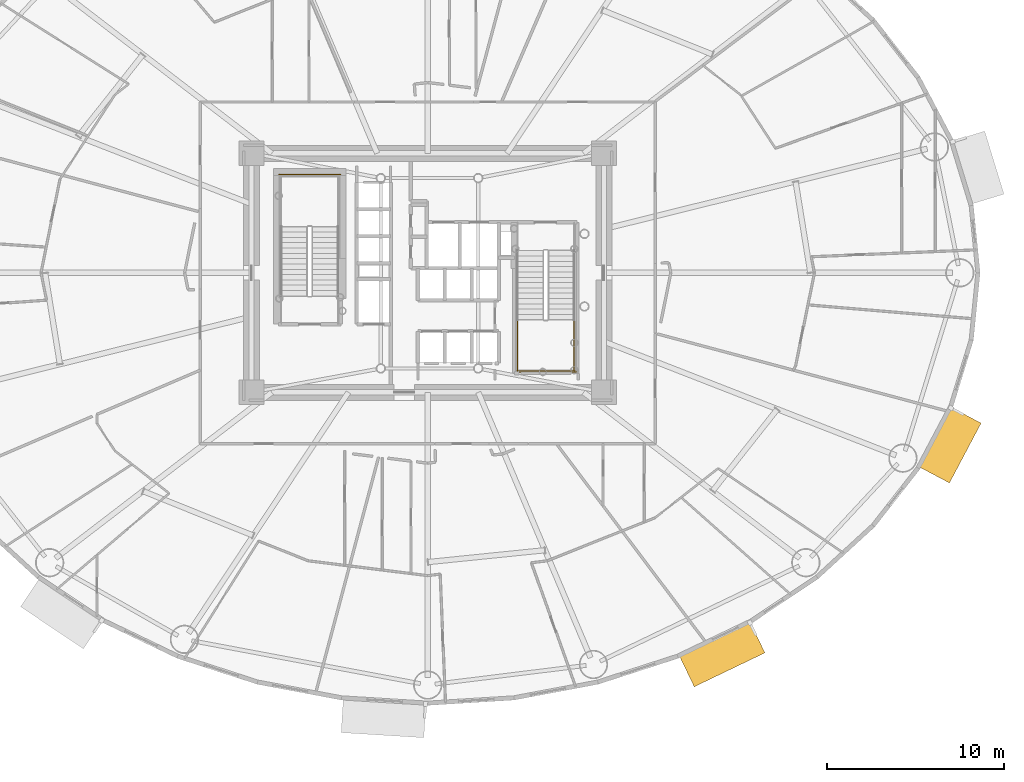
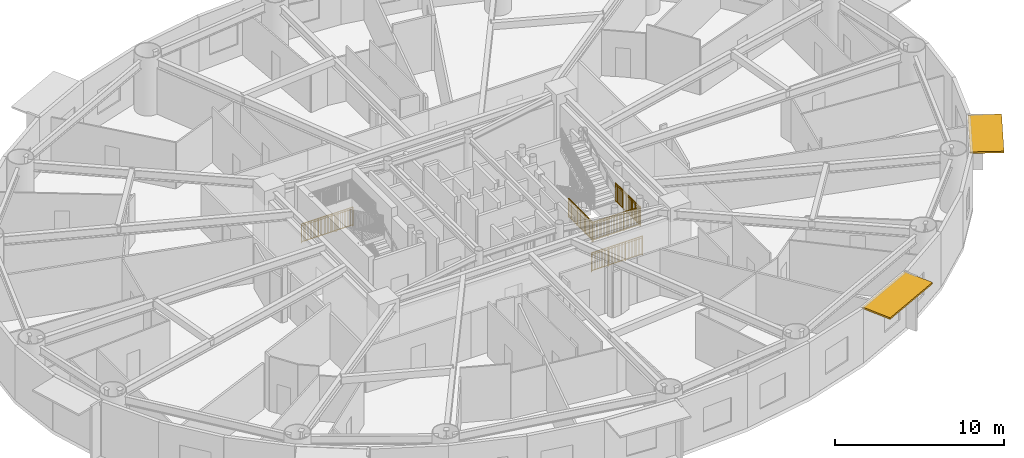
# One storey, part 21 of 24: 5 railings, 2 shading devices.
"""IFC4 building model written with IfcOpenShell, lengths in metres."""

from ifc_helpers import new_model, si_unit, direction, frame, origin, origin_2d, place, context, subcontext, project, spatial, rectangle, extrude, source, transform, mapped, material, layer, layer_set, type_object, element, save


model = new_model("IFC4")

# Units and contexts
model_context = context("Model", 3, precision=1e-05, world=origin(), true_north=direction((0.0, 1.0)))
body_context = subcontext(model_context, "Body", "Model", "MODEL_VIEW")
ifc_project = project(units=[si_unit("LENGTHUNIT", "METRE"), si_unit("AREAUNIT", "SQUARE_METRE"), si_unit("VOLUMEUNIT", "CUBIC_METRE"), si_unit("PLANEANGLEUNIT", "RADIAN"), si_unit("MASSUNIT", "GRAM", prefix="KILO")], contexts=[model_context])

# Site, building, storey
site_placement = place(None, origin())
site = spatial("IfcSite", under=ifc_project, at=site_placement, CompositionType="ELEMENT")
building_placement = place(site_placement, origin())
building = spatial("IfcBuilding", under=site, at=building_placement, Name="Linh Dai School and Residence Tower", CompositionType="ELEMENT")
storey_placement = place(building_placement, frame((0.0, 0.0, 70.199951171875)))
storey = spatial("IfcBuildingStorey", under=building, at=storey_placement, Name="L16", CompositionType="ELEMENT", Elevation=70.199951171875)

# Shading devices
ifc_material_1 = material(Name="Terracotta Ceramic Sunshade", Category="masonry")
ifc_layer = layer(ifc_material_1, 0.1201171875)
ifc_layer_set = layer_set([ifc_layer], Name="Terracotta Ceramic Sunshade")
shading_device_type = type_object("IfcShadingDeviceType", Name="SHD-TC-2000", PredefinedType="USERDEFINED", material=ifc_layer_set)
shared_shape_1 = source(origin(), body_context, "Body", "SweptSolid", [
    extrude(rectangle(XDim=4.428466796875, YDim=2.0, at=origin_2d()), origin(), (0.0, 0.0, 1.0), 0.1201171875),
])
shading_device_1_placement = place(storey_placement, frame((52.613037109375, 5.48095703125, 3.81005859375), z_axis=(0.0, 0.0, 1.0), x_axis=(-0.901584514626, -0.432603008528, 0.0)))
element("IfcShadingDevice", 1, at=shading_device_1_placement, inside=storey, type_object=shading_device_type, Name="L16 Terracotta Horizontal Sunshade Band 34", ObjectType="SUNSHADE", PredefinedType="USERDEFINED", context=body_context, shape_type="MappedRepresentation", body=[
    mapped(shared_shape_1, transform((0.0, 0.0, 0.0), x_axis=(1.0, 0.0, 0.0), y_axis=(0.0, 1.0, 0.0), z_axis=(0.0, 0.0, 1.0), scale=1.0)),
])
shared_shape_2 = source(origin(), body_context, "Body", "SweptSolid", [
    extrude(rectangle(XDim=3.824462890625, YDim=2.0, at=origin_2d()), origin(), (0.0, 0.0, 1.0), 0.1201171875),
])
shading_device_2_placement = place(storey_placement, frame((65.474609375, 17.2890625, 3.81005859375), z_axis=(0.0, 0.0, 1.0), x_axis=(-0.467611940042, -0.883933862645, 0.0)))
element("IfcShadingDevice", 2, at=shading_device_2_placement, inside=storey, type_object=shading_device_type, Name="L16 Terracotta Horizontal Sunshade Band 38", ObjectType="SUNSHADE", PredefinedType="USERDEFINED", context=body_context, shape_type="MappedRepresentation", body=[
    mapped(shared_shape_2, transform((0.0, 0.0, 0.0), x_axis=(1.0, 0.0, 0.0), y_axis=(0.0, 1.0, 0.0), z_axis=(0.0, 0.0, 1.0), scale=1.0)),
])

# Railings
ifc_material_2 = material(Name="Structural Steel S355JR", Category="steel")
railing_type = type_object("IfcRailingType", Name="RL-ST-GUARD-1400", PredefinedType="GUARDRAIL", material=ifc_material_2)
shared_shape_3 = source(origin(), body_context, "Body", "SweptSolid", [
    extrude(rectangle(XDim=0.048095703125, YDim=0.048095703125, at=origin_2d()), frame((0.0, 0.0, 1.3759765625), z_axis=(-1.0, 0.0, 0.0), x_axis=(0.0, -1.0, 0.0)), (0.0, 0.0, 1.0), 3.5),
    extrude(rectangle(XDim=0.048095703125, YDim=0.048095703125, at=origin_2d()), frame((0.0, 0.0, 0.10009765625), z_axis=(-1.0, 0.0, 0.0), x_axis=(0.0, -1.0, 0.0)), (0.0, 0.0, 1.0), 3.5),
    extrude(rectangle(XDim=0.030029296875, YDim=0.030029296875, at=origin_2d()), frame((0.0, 0.0, 1.239990234375), z_axis=(-1.0, 0.0, 0.0), x_axis=(0.0, -1.0, 0.0)), (0.0, 0.0, 1.0), 3.5),
    extrude(rectangle(XDim=0.02001953125, YDim=0.02001953125, at=origin_2d()), frame((-0.09716796875, 0.0, 0.10009765625)), (0.0, 0.0, 1.0), 1.251708984375),
    extrude(rectangle(XDim=0.02001953125, YDim=0.02001953125, at=origin_2d()), frame((-0.1943359375, 0.0, 0.10009765625)), (0.0, 0.0, 1.0), 1.251708984375),
    extrude(rectangle(XDim=0.02001953125, YDim=0.02001953125, at=origin_2d()), frame((-0.291748046875, 0.0, 0.10009765625)), (0.0, 0.0, 1.0), 1.251708984375),
    extrude(rectangle(XDim=0.02001953125, YDim=0.02001953125, at=origin_2d()), frame((-0.388916015625, 0.0, 0.10009765625)), (0.0, 0.0, 1.0), 1.251708984375),
    extrude(rectangle(XDim=0.02001953125, YDim=0.02001953125, at=origin_2d()), frame((-0.486083984375, 0.0, 0.10009765625)), (0.0, 0.0, 1.0), 1.251708984375),
    extrude(rectangle(XDim=0.02001953125, YDim=0.02001953125, at=origin_2d()), frame((-0.583251953125, 0.0, 0.10009765625)), (0.0, 0.0, 1.0), 1.251708984375),
    extrude(rectangle(XDim=0.02001953125, YDim=0.02001953125, at=origin_2d()), frame((-0.6806640625, 0.0, 0.10009765625)), (0.0, 0.0, 1.0), 1.251708984375),
    extrude(rectangle(XDim=0.02001953125, YDim=0.02001953125, at=origin_2d()), frame((-0.77783203125, 0.0, 0.10009765625)), (0.0, 0.0, 1.0), 1.251708984375),
    extrude(rectangle(XDim=0.02001953125, YDim=0.02001953125, at=origin_2d()), frame((-0.875, 0.0, 0.10009765625)), (0.0, 0.0, 1.0), 1.251708984375),
    extrude(rectangle(XDim=0.02001953125, YDim=0.02001953125, at=origin_2d()), frame((-0.97216796875, 0.0, 0.10009765625)), (0.0, 0.0, 1.0), 1.251708984375),
    extrude(rectangle(XDim=0.02001953125, YDim=0.02001953125, at=origin_2d()), frame((-1.0693359375, 0.0, 0.10009765625)), (0.0, 0.0, 1.0), 1.251708984375),
    extrude(rectangle(XDim=0.02001953125, YDim=0.02001953125, at=origin_2d()), frame((-1.263916015625, 0.0, 0.10009765625)), (0.0, 0.0, 1.0), 1.251708984375),
    extrude(rectangle(XDim=0.02001953125, YDim=0.02001953125, at=origin_2d()), frame((-1.361083984375, 0.0, 0.10009765625)), (0.0, 0.0, 1.0), 1.251708984375),
    extrude(rectangle(XDim=0.02001953125, YDim=0.02001953125, at=origin_2d()), frame((-1.458251953125, 0.0, 0.10009765625)), (0.0, 0.0, 1.0), 1.251708984375),
    extrude(rectangle(XDim=0.02001953125, YDim=0.02001953125, at=origin_2d()), frame((-1.5556640625, 0.0, 0.10009765625)), (0.0, 0.0, 1.0), 1.251708984375),
    extrude(rectangle(XDim=0.02001953125, YDim=0.02001953125, at=origin_2d()), frame((-1.65283203125, 0.0, 0.10009765625)), (0.0, 0.0, 1.0), 1.251708984375),
    extrude(rectangle(XDim=0.02001953125, YDim=0.02001953125, at=origin_2d()), frame((-1.75, 0.0, 0.10009765625)), (0.0, 0.0, 1.0), 1.251708984375),
    extrude(rectangle(XDim=0.02001953125, YDim=0.02001953125, at=origin_2d()), frame((-1.84716796875, 0.0, 0.10009765625)), (0.0, 0.0, 1.0), 1.251708984375),
    extrude(rectangle(XDim=0.02001953125, YDim=0.02001953125, at=origin_2d()), frame((-1.9443359375, 0.0, 0.10009765625)), (0.0, 0.0, 1.0), 1.251708984375),
    extrude(rectangle(XDim=0.02001953125, YDim=0.02001953125, at=origin_2d()), frame((-2.041748046875, 0.0, 0.10009765625)), (0.0, 0.0, 1.0), 1.251708984375),
    extrude(rectangle(XDim=0.02001953125, YDim=0.02001953125, at=origin_2d()), frame((-2.138916015625, 0.0, 0.10009765625)), (0.0, 0.0, 1.0), 1.251708984375),
    extrude(rectangle(XDim=0.02001953125, YDim=0.02001953125, at=origin_2d()), frame((-2.236083984375, 0.0, 0.10009765625)), (0.0, 0.0, 1.0), 1.251708984375),
    extrude(rectangle(XDim=0.02001953125, YDim=0.02001953125, at=origin_2d()), frame((-2.4306640625, 0.0, 0.10009765625)), (0.0, 0.0, 1.0), 1.251708984375),
    extrude(rectangle(XDim=0.02001953125, YDim=0.02001953125, at=origin_2d()), frame((-2.52783203125, 0.0, 0.10009765625)), (0.0, 0.0, 1.0), 1.251708984375),
    extrude(rectangle(XDim=0.02001953125, YDim=0.02001953125, at=origin_2d()), frame((-2.625, 0.0, 0.10009765625)), (0.0, 0.0, 1.0), 1.251708984375),
    extrude(rectangle(XDim=0.02001953125, YDim=0.02001953125, at=origin_2d()), frame((-2.72216796875, 0.0, 0.10009765625)), (0.0, 0.0, 1.0), 1.251708984375),
    extrude(rectangle(XDim=0.02001953125, YDim=0.02001953125, at=origin_2d()), frame((-2.8193359375, 0.0, 0.10009765625)), (0.0, 0.0, 1.0), 1.251708984375),
    extrude(rectangle(XDim=0.02001953125, YDim=0.02001953125, at=origin_2d()), frame((-2.916748046875, 0.0, 0.10009765625)), (0.0, 0.0, 1.0), 1.251708984375),
    extrude(rectangle(XDim=0.02001953125, YDim=0.02001953125, at=origin_2d()), frame((-3.013916015625, 0.0, 0.10009765625)), (0.0, 0.0, 1.0), 1.251708984375),
    extrude(rectangle(XDim=0.02001953125, YDim=0.02001953125, at=origin_2d()), frame((-3.111083984375, 0.0, 0.10009765625)), (0.0, 0.0, 1.0), 1.251708984375),
    extrude(rectangle(XDim=0.02001953125, YDim=0.02001953125, at=origin_2d()), frame((-3.208251953125, 0.0, 0.10009765625)), (0.0, 0.0, 1.0), 1.251708984375),
    extrude(rectangle(XDim=0.02001953125, YDim=0.02001953125, at=origin_2d()), frame((-3.3056640625, 0.0, 0.10009765625)), (0.0, 0.0, 1.0), 1.251708984375),
    extrude(rectangle(XDim=0.02001953125, YDim=0.02001953125, at=origin_2d()), frame((-3.40283203125, 0.0, 0.10009765625)), (0.0, 0.0, 1.0), 1.251708984375),
    extrude(rectangle(XDim=0.0419921875, YDim=0.0419921875, at=origin_2d()), origin(), (0.0, 0.0, 1.0), 1.3759765625),
    extrude(rectangle(XDim=0.0419921875, YDim=0.0419921875, at=origin_2d()), frame((-1.166748046875, 0.0, 0.0)), (0.0, 0.0, 1.0), 1.3759765625),
    extrude(rectangle(XDim=0.0419921875, YDim=0.0419921875, at=origin_2d()), frame((-2.333251953125, 0.0, 0.0)), (0.0, 0.0, 1.0), 1.3759765625),
    extrude(rectangle(XDim=0.0419921875, YDim=0.0419921875, at=origin_2d()), frame((-3.5, 0.0, 0.0)), (0.0, 0.0, 1.0), 1.3759765625),
])
railing_1_placement = place(storey_placement, frame((31.080078125, 32.550048828125, 0.0)))
element("IfcRailing", 3, at=railing_1_placement, inside=storey, type_object=railing_type, Name="L16 ST1 stair guard 12", PredefinedType="GUARDRAIL", context=body_context, shape_type="MappedRepresentation", body=[
    mapped(shared_shape_3, transform((0.0, 0.0, 0.0), x_axis=(1.0, 0.0, 0.0), y_axis=(0.0, 1.0, 0.0), z_axis=(0.0, 0.0, 1.0), scale=1.0)),
])
shared_shape_4 = source(origin(), body_context, "Body", "SweptSolid", [
    extrude(rectangle(XDim=0.048095703125, YDim=0.048095703125, at=origin_2d()), frame((0.0, 0.0, 1.3759765625), z_axis=(1.0, 0.0, 0.0), x_axis=(0.0, 1.0, 0.0)), (0.0, 0.0, 1.0), 3.300048828125),
    extrude(rectangle(XDim=0.048095703125, YDim=0.048095703125, at=origin_2d()), frame((0.0, 0.0, 0.10009765625), z_axis=(1.0, 0.0, 0.0), x_axis=(0.0, 1.0, 0.0)), (0.0, 0.0, 1.0), 3.300048828125),
    extrude(rectangle(XDim=0.030029296875, YDim=0.030029296875, at=origin_2d()), frame((0.0, 0.0, 1.239990234375), z_axis=(1.0, 0.0, 0.0), x_axis=(0.0, 1.0, 0.0)), (0.0, 0.0, 1.0), 3.300048828125),
    extrude(rectangle(XDim=0.02001953125, YDim=0.02001953125, at=origin_2d()), frame((0.09716796875, 0.0, 0.10009765625)), (0.0, 0.0, 1.0), 1.251708984375),
    extrude(rectangle(XDim=0.02001953125, YDim=0.02001953125, at=origin_2d()), frame((0.194091796875, 0.0, 0.10009765625)), (0.0, 0.0, 1.0), 1.251708984375),
    extrude(rectangle(XDim=0.02001953125, YDim=0.02001953125, at=origin_2d()), frame((0.291259765625, 0.0, 0.10009765625)), (0.0, 0.0, 1.0), 1.251708984375),
    extrude(rectangle(XDim=0.02001953125, YDim=0.02001953125, at=origin_2d()), frame((0.38818359375, 0.0, 0.10009765625)), (0.0, 0.0, 1.0), 1.251708984375),
    extrude(rectangle(XDim=0.02001953125, YDim=0.02001953125, at=origin_2d()), frame((0.4853515625, 0.0, 0.10009765625)), (0.0, 0.0, 1.0), 1.251708984375),
    extrude(rectangle(XDim=0.02001953125, YDim=0.02001953125, at=origin_2d()), frame((0.582275390625, 0.0, 0.10009765625)), (0.0, 0.0, 1.0), 1.251708984375),
    extrude(rectangle(XDim=0.02001953125, YDim=0.02001953125, at=origin_2d()), frame((0.679443359375, 0.0, 0.10009765625)), (0.0, 0.0, 1.0), 1.251708984375),
    extrude(rectangle(XDim=0.02001953125, YDim=0.02001953125, at=origin_2d()), frame((0.7763671875, 0.0, 0.10009765625)), (0.0, 0.0, 1.0), 1.251708984375),
    extrude(rectangle(XDim=0.02001953125, YDim=0.02001953125, at=origin_2d()), frame((0.87353515625, 0.0, 0.10009765625)), (0.0, 0.0, 1.0), 1.251708984375),
    extrude(rectangle(XDim=0.02001953125, YDim=0.02001953125, at=origin_2d()), frame((0.970703125, 0.0, 0.10009765625)), (0.0, 0.0, 1.0), 1.251708984375),
    extrude(rectangle(XDim=0.02001953125, YDim=0.02001953125, at=origin_2d()), frame((1.164794921875, 0.0, 0.10009765625)), (0.0, 0.0, 1.0), 1.251708984375),
    extrude(rectangle(XDim=0.02001953125, YDim=0.02001953125, at=origin_2d()), frame((1.26171875, 0.0, 0.10009765625)), (0.0, 0.0, 1.0), 1.251708984375),
    extrude(rectangle(XDim=0.02001953125, YDim=0.02001953125, at=origin_2d()), frame((1.35888671875, 0.0, 0.10009765625)), (0.0, 0.0, 1.0), 1.251708984375),
    extrude(rectangle(XDim=0.02001953125, YDim=0.02001953125, at=origin_2d()), frame((1.455810546875, 0.0, 0.10009765625)), (0.0, 0.0, 1.0), 1.251708984375),
    extrude(rectangle(XDim=0.02001953125, YDim=0.02001953125, at=origin_2d()), frame((1.552978515625, 0.0, 0.10009765625)), (0.0, 0.0, 1.0), 1.251708984375),
    extrude(rectangle(XDim=0.02001953125, YDim=0.02001953125, at=origin_2d()), frame((1.64990234375, 0.0, 0.10009765625)), (0.0, 0.0, 1.0), 1.251708984375),
    extrude(rectangle(XDim=0.02001953125, YDim=0.02001953125, at=origin_2d()), frame((1.7470703125, 0.0, 0.10009765625)), (0.0, 0.0, 1.0), 1.251708984375),
    extrude(rectangle(XDim=0.02001953125, YDim=0.02001953125, at=origin_2d()), frame((1.84423828125, 0.0, 0.10009765625)), (0.0, 0.0, 1.0), 1.251708984375),
    extrude(rectangle(XDim=0.02001953125, YDim=0.02001953125, at=origin_2d()), frame((1.941162109375, 0.0, 0.10009765625)), (0.0, 0.0, 1.0), 1.251708984375),
    extrude(rectangle(XDim=0.02001953125, YDim=0.02001953125, at=origin_2d()), frame((2.038330078125, 0.0, 0.10009765625)), (0.0, 0.0, 1.0), 1.251708984375),
    extrude(rectangle(XDim=0.02001953125, YDim=0.02001953125, at=origin_2d()), frame((2.13525390625, 0.0, 0.10009765625)), (0.0, 0.0, 1.0), 1.251708984375),
    extrude(rectangle(XDim=0.02001953125, YDim=0.02001953125, at=origin_2d()), frame((2.329345703125, 0.0, 0.10009765625)), (0.0, 0.0, 1.0), 1.251708984375),
    extrude(rectangle(XDim=0.02001953125, YDim=0.02001953125, at=origin_2d()), frame((2.426513671875, 0.0, 0.10009765625)), (0.0, 0.0, 1.0), 1.251708984375),
    extrude(rectangle(XDim=0.02001953125, YDim=0.02001953125, at=origin_2d()), frame((2.523681640625, 0.0, 0.10009765625)), (0.0, 0.0, 1.0), 1.251708984375),
    extrude(rectangle(XDim=0.02001953125, YDim=0.02001953125, at=origin_2d()), frame((2.62060546875, 0.0, 0.10009765625)), (0.0, 0.0, 1.0), 1.251708984375),
    extrude(rectangle(XDim=0.02001953125, YDim=0.02001953125, at=origin_2d()), frame((2.7177734375, 0.0, 0.10009765625)), (0.0, 0.0, 1.0), 1.251708984375),
    extrude(rectangle(XDim=0.02001953125, YDim=0.02001953125, at=origin_2d()), frame((2.814697265625, 0.0, 0.10009765625)), (0.0, 0.0, 1.0), 1.251708984375),
    extrude(rectangle(XDim=0.02001953125, YDim=0.02001953125, at=origin_2d()), frame((2.911865234375, 0.0, 0.10009765625)), (0.0, 0.0, 1.0), 1.251708984375),
    extrude(rectangle(XDim=0.02001953125, YDim=0.02001953125, at=origin_2d()), frame((3.0087890625, 0.0, 0.10009765625)), (0.0, 0.0, 1.0), 1.251708984375),
    extrude(rectangle(XDim=0.02001953125, YDim=0.02001953125, at=origin_2d()), frame((3.10595703125, 0.0, 0.10009765625)), (0.0, 0.0, 1.0), 1.251708984375),
    extrude(rectangle(XDim=0.02001953125, YDim=0.02001953125, at=origin_2d()), frame((3.202880859375, 0.0, 0.10009765625)), (0.0, 0.0, 1.0), 1.251708984375),
    extrude(rectangle(XDim=0.0419921875, YDim=0.0419921875, at=origin_2d()), origin(), (0.0, 0.0, 1.0), 1.3759765625),
    extrude(rectangle(XDim=0.0419921875, YDim=0.0419921875, at=origin_2d()), frame((1.10009765625, 0.0, 0.0)), (0.0, 0.0, 1.0), 1.3759765625),
    extrude(rectangle(XDim=0.0419921875, YDim=0.0419921875, at=origin_2d()), frame((2.199951171875, 0.0, 0.0)), (0.0, 0.0, 1.0), 1.3759765625),
    extrude(rectangle(XDim=0.0419921875, YDim=0.0419921875, at=origin_2d()), frame((3.300048828125, 0.0, 0.0)), (0.0, 0.0, 1.0), 1.3759765625),
])
railing_2_placement = place(storey_placement, frame((41.02001953125, 21.5, 2.10009765625)))
element("IfcRailing", 4, at=railing_2_placement, inside=storey, type_object=railing_type, Name="L16 ST2 stair guard 5", PredefinedType="GUARDRAIL", context=body_context, shape_type="MappedRepresentation", body=[
    mapped(shared_shape_4, transform((0.0, 0.0, 0.0), x_axis=(1.0, 0.0, 0.0), y_axis=(0.0, 1.0, 0.0), z_axis=(0.0, 0.0, 1.0), scale=1.0)),
])
shared_shape_5 = source(origin(), body_context, "Body", "SweptSolid", [
    extrude(rectangle(XDim=0.048095703125, YDim=0.048095703125, at=origin_2d()), frame((0.0, 0.0, 1.3759765625), z_axis=(1.0, 0.0, 0.0), x_axis=(0.0, 1.0, 0.0)), (0.0, 0.0, 1.0), 3.5),
    extrude(rectangle(XDim=0.048095703125, YDim=0.048095703125, at=origin_2d()), frame((0.0, 0.0, 0.10009765625), z_axis=(1.0, 0.0, 0.0), x_axis=(0.0, 1.0, 0.0)), (0.0, 0.0, 1.0), 3.5),
    extrude(rectangle(XDim=0.030029296875, YDim=0.030029296875, at=origin_2d()), frame((0.0, 0.0, 1.239990234375), z_axis=(1.0, 0.0, 0.0), x_axis=(0.0, 1.0, 0.0)), (0.0, 0.0, 1.0), 3.5),
    extrude(rectangle(XDim=0.02001953125, YDim=0.02001953125, at=origin_2d()), frame((0.09716796875, 0.0, 0.10009765625)), (0.0, 0.0, 1.0), 1.251708984375),
    extrude(rectangle(XDim=0.02001953125, YDim=0.02001953125, at=origin_2d()), frame((0.1943359375, 0.0, 0.10009765625)), (0.0, 0.0, 1.0), 1.251708984375),
    extrude(rectangle(XDim=0.02001953125, YDim=0.02001953125, at=origin_2d()), frame((0.291748046875, 0.0, 0.10009765625)), (0.0, 0.0, 1.0), 1.251708984375),
    extrude(rectangle(XDim=0.02001953125, YDim=0.02001953125, at=origin_2d()), frame((0.388916015625, 0.0, 0.10009765625)), (0.0, 0.0, 1.0), 1.251708984375),
    extrude(rectangle(XDim=0.02001953125, YDim=0.02001953125, at=origin_2d()), frame((0.486083984375, 0.0, 0.10009765625)), (0.0, 0.0, 1.0), 1.251708984375),
    extrude(rectangle(XDim=0.02001953125, YDim=0.02001953125, at=origin_2d()), frame((0.583251953125, 0.0, 0.10009765625)), (0.0, 0.0, 1.0), 1.251708984375),
    extrude(rectangle(XDim=0.02001953125, YDim=0.02001953125, at=origin_2d()), frame((0.6806640625, 0.0, 0.10009765625)), (0.0, 0.0, 1.0), 1.251708984375),
    extrude(rectangle(XDim=0.02001953125, YDim=0.02001953125, at=origin_2d()), frame((0.77783203125, 0.0, 0.10009765625)), (0.0, 0.0, 1.0), 1.251708984375),
    extrude(rectangle(XDim=0.02001953125, YDim=0.02001953125, at=origin_2d()), frame((0.875, 0.0, 0.10009765625)), (0.0, 0.0, 1.0), 1.251708984375),
    extrude(rectangle(XDim=0.02001953125, YDim=0.02001953125, at=origin_2d()), frame((0.97216796875, 0.0, 0.10009765625)), (0.0, 0.0, 1.0), 1.251708984375),
    extrude(rectangle(XDim=0.02001953125, YDim=0.02001953125, at=origin_2d()), frame((1.0693359375, 0.0, 0.10009765625)), (0.0, 0.0, 1.0), 1.251708984375),
    extrude(rectangle(XDim=0.02001953125, YDim=0.02001953125, at=origin_2d()), frame((1.263916015625, 0.0, 0.10009765625)), (0.0, 0.0, 1.0), 1.251708984375),
    extrude(rectangle(XDim=0.02001953125, YDim=0.02001953125, at=origin_2d()), frame((1.361083984375, 0.0, 0.10009765625)), (0.0, 0.0, 1.0), 1.251708984375),
    extrude(rectangle(XDim=0.02001953125, YDim=0.02001953125, at=origin_2d()), frame((1.458251953125, 0.0, 0.10009765625)), (0.0, 0.0, 1.0), 1.251708984375),
    extrude(rectangle(XDim=0.02001953125, YDim=0.02001953125, at=origin_2d()), frame((1.5556640625, 0.0, 0.10009765625)), (0.0, 0.0, 1.0), 1.251708984375),
    extrude(rectangle(XDim=0.02001953125, YDim=0.02001953125, at=origin_2d()), frame((1.65283203125, 0.0, 0.10009765625)), (0.0, 0.0, 1.0), 1.251708984375),
    extrude(rectangle(XDim=0.02001953125, YDim=0.02001953125, at=origin_2d()), frame((1.75, 0.0, 0.10009765625)), (0.0, 0.0, 1.0), 1.251708984375),
    extrude(rectangle(XDim=0.02001953125, YDim=0.02001953125, at=origin_2d()), frame((1.84716796875, 0.0, 0.10009765625)), (0.0, 0.0, 1.0), 1.251708984375),
    extrude(rectangle(XDim=0.02001953125, YDim=0.02001953125, at=origin_2d()), frame((1.9443359375, 0.0, 0.10009765625)), (0.0, 0.0, 1.0), 1.251708984375),
    extrude(rectangle(XDim=0.02001953125, YDim=0.02001953125, at=origin_2d()), frame((2.041748046875, 0.0, 0.10009765625)), (0.0, 0.0, 1.0), 1.251708984375),
    extrude(rectangle(XDim=0.02001953125, YDim=0.02001953125, at=origin_2d()), frame((2.138916015625, 0.0, 0.10009765625)), (0.0, 0.0, 1.0), 1.251708984375),
    extrude(rectangle(XDim=0.02001953125, YDim=0.02001953125, at=origin_2d()), frame((2.236083984375, 0.0, 0.10009765625)), (0.0, 0.0, 1.0), 1.251708984375),
    extrude(rectangle(XDim=0.02001953125, YDim=0.02001953125, at=origin_2d()), frame((2.4306640625, 0.0, 0.10009765625)), (0.0, 0.0, 1.0), 1.251708984375),
    extrude(rectangle(XDim=0.02001953125, YDim=0.02001953125, at=origin_2d()), frame((2.52783203125, 0.0, 0.10009765625)), (0.0, 0.0, 1.0), 1.251708984375),
    extrude(rectangle(XDim=0.02001953125, YDim=0.02001953125, at=origin_2d()), frame((2.625, 0.0, 0.10009765625)), (0.0, 0.0, 1.0), 1.251708984375),
    extrude(rectangle(XDim=0.02001953125, YDim=0.02001953125, at=origin_2d()), frame((2.72216796875, 0.0, 0.10009765625)), (0.0, 0.0, 1.0), 1.251708984375),
    extrude(rectangle(XDim=0.02001953125, YDim=0.02001953125, at=origin_2d()), frame((2.8193359375, 0.0, 0.10009765625)), (0.0, 0.0, 1.0), 1.251708984375),
    extrude(rectangle(XDim=0.02001953125, YDim=0.02001953125, at=origin_2d()), frame((2.916748046875, 0.0, 0.10009765625)), (0.0, 0.0, 1.0), 1.251708984375),
    extrude(rectangle(XDim=0.02001953125, YDim=0.02001953125, at=origin_2d()), frame((3.013916015625, 0.0, 0.10009765625)), (0.0, 0.0, 1.0), 1.251708984375),
    extrude(rectangle(XDim=0.02001953125, YDim=0.02001953125, at=origin_2d()), frame((3.111083984375, 0.0, 0.10009765625)), (0.0, 0.0, 1.0), 1.251708984375),
    extrude(rectangle(XDim=0.02001953125, YDim=0.02001953125, at=origin_2d()), frame((3.208251953125, 0.0, 0.10009765625)), (0.0, 0.0, 1.0), 1.251708984375),
    extrude(rectangle(XDim=0.02001953125, YDim=0.02001953125, at=origin_2d()), frame((3.3056640625, 0.0, 0.10009765625)), (0.0, 0.0, 1.0), 1.251708984375),
    extrude(rectangle(XDim=0.02001953125, YDim=0.02001953125, at=origin_2d()), frame((3.40283203125, 0.0, 0.10009765625)), (0.0, 0.0, 1.0), 1.251708984375),
    extrude(rectangle(XDim=0.0419921875, YDim=0.0419921875, at=origin_2d()), origin(), (0.0, 0.0, 1.0), 1.3759765625),
    extrude(rectangle(XDim=0.0419921875, YDim=0.0419921875, at=origin_2d()), frame((1.166748046875, 0.0, 0.0)), (0.0, 0.0, 1.0), 1.3759765625),
    extrude(rectangle(XDim=0.0419921875, YDim=0.0419921875, at=origin_2d()), frame((2.333251953125, 0.0, 0.0)), (0.0, 0.0, 1.0), 1.3759765625),
    extrude(rectangle(XDim=0.0419921875, YDim=0.0419921875, at=origin_2d()), frame((3.5, 0.0, 0.0)), (0.0, 0.0, 1.0), 1.3759765625),
])
railing_3_placement = place(storey_placement, frame((40.919921875, 21.39990234375, 0.0)))
element("IfcRailing", 5, at=railing_3_placement, inside=storey, type_object=railing_type, Name="L16 ST2 stair guard 12", PredefinedType="GUARDRAIL", context=body_context, shape_type="MappedRepresentation", body=[
    mapped(shared_shape_5, transform((0.0, 0.0, 0.0), x_axis=(1.0, 0.0, 0.0), y_axis=(0.0, 1.0, 0.0), z_axis=(0.0, 0.0, 1.0), scale=1.0)),
])
shared_shape_6 = source(origin(), body_context, "Body", "SweptSolid", [
    extrude(rectangle(XDim=0.048095703125, YDim=0.048095703125, at=origin_2d()), frame((0.0, 0.0, 1.3759765625), z_axis=(0.0, -1.0, 0.0), x_axis=(1.0, 0.0, 0.0)), (0.0, 0.0, 1.0), 2.900146484375),
    extrude(rectangle(XDim=0.048095703125, YDim=0.048095703125, at=origin_2d()), frame((0.0, 0.0, 0.10009765625), z_axis=(0.0, -1.0, 0.0), x_axis=(1.0, 0.0, 0.0)), (0.0, 0.0, 1.0), 2.900146484375),
    extrude(rectangle(XDim=0.030029296875, YDim=0.030029296875, at=origin_2d()), frame((0.0, 0.0, 1.239990234375), z_axis=(0.0, -1.0, 0.0), x_axis=(1.0, 0.0, 0.0)), (0.0, 0.0, 1.0), 2.900146484375),
    extrude(rectangle(XDim=0.02001953125, YDim=0.02001953125, at=origin_2d()), frame((0.0, -0.0966796875, 0.10009765625)), (0.0, 0.0, 1.0), 1.251708984375),
    extrude(rectangle(XDim=0.02001953125, YDim=0.02001953125, at=origin_2d()), frame((0.0, -0.193359375, 0.10009765625)), (0.0, 0.0, 1.0), 1.251708984375),
    extrude(rectangle(XDim=0.02001953125, YDim=0.02001953125, at=origin_2d()), frame((0.0, -0.2900390625, 0.10009765625)), (0.0, 0.0, 1.0), 1.251708984375),
    extrude(rectangle(XDim=0.02001953125, YDim=0.02001953125, at=origin_2d()), frame((0.0, -0.38671875, 0.10009765625)), (0.0, 0.0, 1.0), 1.251708984375),
    extrude(rectangle(XDim=0.02001953125, YDim=0.02001953125, at=origin_2d()), frame((0.0, -0.4833984375, 0.10009765625)), (0.0, 0.0, 1.0), 1.251708984375),
    extrude(rectangle(XDim=0.02001953125, YDim=0.02001953125, at=origin_2d()), frame((0.0, -0.580078125, 0.10009765625)), (0.0, 0.0, 1.0), 1.251708984375),
    extrude(rectangle(XDim=0.02001953125, YDim=0.02001953125, at=origin_2d()), frame((0.0, -0.6767578125, 0.10009765625)), (0.0, 0.0, 1.0), 1.251708984375),
    extrude(rectangle(XDim=0.02001953125, YDim=0.02001953125, at=origin_2d()), frame((0.0, -0.7734375, 0.10009765625)), (0.0, 0.0, 1.0), 1.251708984375),
    extrude(rectangle(XDim=0.02001953125, YDim=0.02001953125, at=origin_2d()), frame((0.0, -0.8701171875, 0.10009765625)), (0.0, 0.0, 1.0), 1.251708984375),
    extrude(rectangle(XDim=0.02001953125, YDim=0.02001953125, at=origin_2d()), frame((0.0, -1.0634765625, 0.10009765625)), (0.0, 0.0, 1.0), 1.251708984375),
    extrude(rectangle(XDim=0.02001953125, YDim=0.02001953125, at=origin_2d()), frame((0.0, -1.16015625, 0.10009765625)), (0.0, 0.0, 1.0), 1.251708984375),
    extrude(rectangle(XDim=0.02001953125, YDim=0.02001953125, at=origin_2d()), frame((0.0, -1.2568359375, 0.10009765625)), (0.0, 0.0, 1.0), 1.251708984375),
    extrude(rectangle(XDim=0.02001953125, YDim=0.02001953125, at=origin_2d()), frame((0.0, -1.353515625, 0.10009765625)), (0.0, 0.0, 1.0), 1.251708984375),
    extrude(rectangle(XDim=0.02001953125, YDim=0.02001953125, at=origin_2d()), frame((0.0, -1.4501953125, 0.10009765625)), (0.0, 0.0, 1.0), 1.251708984375),
    extrude(rectangle(XDim=0.02001953125, YDim=0.02001953125, at=origin_2d()), frame((0.0, -1.546630859375, 0.10009765625)), (0.0, 0.0, 1.0), 1.251708984375),
    extrude(rectangle(XDim=0.02001953125, YDim=0.02001953125, at=origin_2d()), frame((0.0, -1.643310546875, 0.10009765625)), (0.0, 0.0, 1.0), 1.251708984375),
    extrude(rectangle(XDim=0.02001953125, YDim=0.02001953125, at=origin_2d()), frame((0.0, -1.739990234375, 0.10009765625)), (0.0, 0.0, 1.0), 1.251708984375),
    extrude(rectangle(XDim=0.02001953125, YDim=0.02001953125, at=origin_2d()), frame((0.0, -1.836669921875, 0.10009765625)), (0.0, 0.0, 1.0), 1.251708984375),
    extrude(rectangle(XDim=0.02001953125, YDim=0.02001953125, at=origin_2d()), frame((0.0, -2.030029296875, 0.10009765625)), (0.0, 0.0, 1.0), 1.251708984375),
    extrude(rectangle(XDim=0.02001953125, YDim=0.02001953125, at=origin_2d()), frame((0.0, -2.126708984375, 0.10009765625)), (0.0, 0.0, 1.0), 1.251708984375),
    extrude(rectangle(XDim=0.02001953125, YDim=0.02001953125, at=origin_2d()), frame((0.0, -2.223388671875, 0.10009765625)), (0.0, 0.0, 1.0), 1.251708984375),
    extrude(rectangle(XDim=0.02001953125, YDim=0.02001953125, at=origin_2d()), frame((0.0, -2.320068359375, 0.10009765625)), (0.0, 0.0, 1.0), 1.251708984375),
    extrude(rectangle(XDim=0.02001953125, YDim=0.02001953125, at=origin_2d()), frame((0.0, -2.416748046875, 0.10009765625)), (0.0, 0.0, 1.0), 1.251708984375),
    extrude(rectangle(XDim=0.02001953125, YDim=0.02001953125, at=origin_2d()), frame((0.0, -2.513427734375, 0.10009765625)), (0.0, 0.0, 1.0), 1.251708984375),
    extrude(rectangle(XDim=0.02001953125, YDim=0.02001953125, at=origin_2d()), frame((0.0, -2.610107421875, 0.10009765625)), (0.0, 0.0, 1.0), 1.251708984375),
    extrude(rectangle(XDim=0.02001953125, YDim=0.02001953125, at=origin_2d()), frame((0.0, -2.706787109375, 0.10009765625)), (0.0, 0.0, 1.0), 1.251708984375),
    extrude(rectangle(XDim=0.02001953125, YDim=0.02001953125, at=origin_2d()), frame((0.0, -2.803466796875, 0.10009765625)), (0.0, 0.0, 1.0), 1.251708984375),
    extrude(rectangle(XDim=0.0419921875, YDim=0.0419921875, at=origin_2d()), origin(), (0.0, 0.0, 1.0), 1.3759765625),
    extrude(rectangle(XDim=0.0419921875, YDim=0.0419921875, at=origin_2d()), frame((0.0, -0.966796875, 0.0)), (0.0, 0.0, 1.0), 1.3759765625),
    extrude(rectangle(XDim=0.0419921875, YDim=0.0419921875, at=origin_2d()), frame((0.0, -1.933349609375, 0.0)), (0.0, 0.0, 1.0), 1.3759765625),
    extrude(rectangle(XDim=0.0419921875, YDim=0.0419921875, at=origin_2d()), frame((0.0, -2.900146484375, 0.0)), (0.0, 0.0, 1.0), 1.3759765625),
])
for number, where, name in (
    (6, (41.070068359375, 24.35009765625, 2.10009765625), "L16 ST2 stair guard 3"),
    (7, (44.27001953125, 24.35009765625, 2.10009765625), "L16 ST2 stair guard 4"),
):
    element("IfcRailing", number, at=place(storey_placement, frame(where)), inside=storey, type_object=railing_type, Name=name, PredefinedType="GUARDRAIL", context=body_context, shape_type="MappedRepresentation", body=[
        mapped(shared_shape_6, transform((0.0, 0.0, 0.0), x_axis=(1.0, 0.0, 0.0), y_axis=(0.0, 1.0, 0.0), z_axis=(0.0, 0.0, 1.0), scale=1.0)),
    ])

save(model, "model.ifc")
